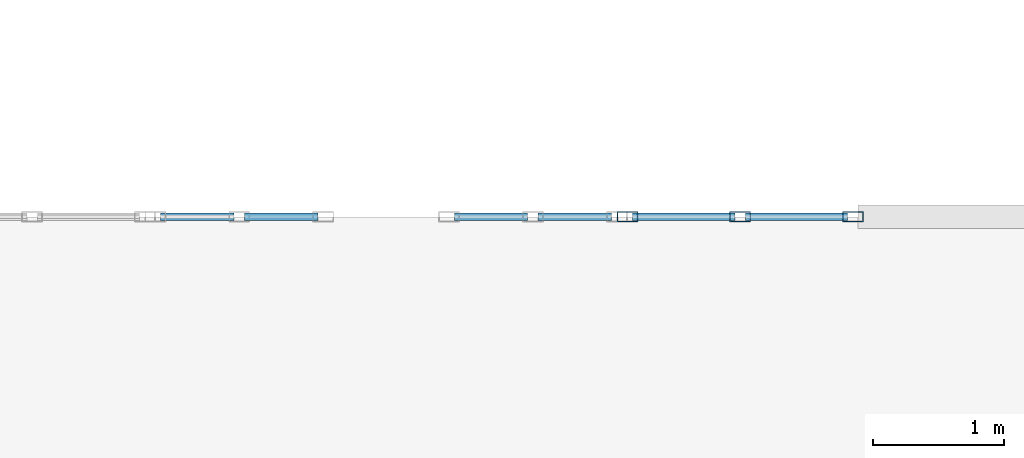
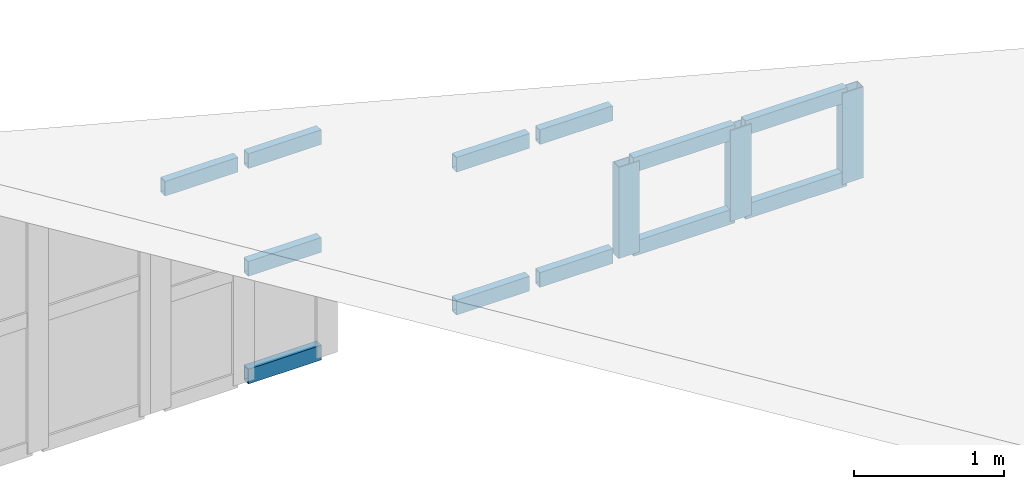
# One storey, part 39 of 76: 15 members, 3 elements without a shape of their own.
"""IFC4 building model written with IfcOpenShell, lengths in metres."""

from ifc_helpers import new_model, si_unit, direction, frame, origin, origin_2d, place, context, subcontext, project, spatial, hollow_rectangle, extrude, material, layer, layer_set, material_profile, profile_set, type_object, element, aggregate, save


model = new_model("IFC4")

# Units and contexts
model_context = context("Model", 3, precision=1e-05, world=origin(), true_north=direction((0.0, 1.0)))
body_context = subcontext(model_context, "Body", "Model", "MODEL_VIEW")
ifc_project = project(units=[si_unit("LENGTHUNIT", "METRE"), si_unit("AREAUNIT", "SQUARE_METRE"), si_unit("VOLUMEUNIT", "CUBIC_METRE"), si_unit("PLANEANGLEUNIT", "RADIAN"), si_unit("MASSUNIT", "GRAM", prefix="KILO"), si_unit("THERMODYNAMICTEMPERATUREUNIT", "KELVIN"), si_unit("POWERUNIT", "WATT")], contexts=[model_context])

# Site, building, storey
site_placement = place(None, origin())
site = spatial("IfcSite", under=ifc_project, at=site_placement, CompositionType="ELEMENT")
building_placement = place(site_placement, origin())
building = spatial("IfcBuilding", under=site, at=building_placement, Name="Kaldorven Railside Theatre", CompositionType="ELEMENT")
storey_placement = place(building_placement, frame((0.0, 0.0, 14.39990234375)))
storey = spatial("IfcBuildingStorey", under=building, at=storey_placement, Name="L03", CompositionType="ELEMENT", Elevation=14.39990234375)

# Curtain wall, members
ifc_material_1 = material(Name="Low-E laminated solar-control glass", Category="glass")
ifc_layer_1 = layer(ifc_material_1, 0.159912109375, Name="Low-E laminated solar-control glass")
ifc_layer_set_1 = layer_set([ifc_layer_1], Name="Low-E laminated solar-control glass")
curtain_wall_type_1 = type_object("IfcCurtainWallType", Name="CWT-60", PredefinedType="USERDEFINED", material=ifc_layer_set_1)
curtain_wall_1_placement = place(storey_placement, origin())
curtain_wall_1 = element("IfcCurtainWall", 1, at=curtain_wall_1_placement, inside=storey, type_object=curtain_wall_type_1, Name="Studio North Gable Clerestory CWG-137", ObjectType="FLUTED GLAZING", PredefinedType="USERDEFINED")
ifc_material_2 = material(Name="Anodised bronze aluminium", Category="aluminium")
ifc_material_profile_1 = material_profile(ifc_material_2, hollow_rectangle(XDim=0.080078125, YDim=0.159912109375, WallThickness=0.00634765625, at=origin_2d()), Name="RHS 160x80x6.3")
ifc_profile_set_1 = profile_set([ifc_material_profile_1], Name="Anodised bronze aluminium")
member_type_1 = type_object("IfcMemberType", Name="CWM-160", PredefinedType="MULLION", material=ifc_profile_set_1)
member_1_placement = place(storey_placement, frame((31.43994140625, 48.0, 0.02001953125), z_axis=(0.0, 0.0, 1.0), x_axis=(0.0, 1.0, 0.0)))
member_1 = element("IfcMember", 2, at=member_1_placement, type_object=member_type_1, Name="CWG-137 mullion 1", PredefinedType="MULLION", context=body_context, shape_type="SweptSolid", body=[
    extrude(hollow_rectangle(XDim=0.080078125, YDim=0.159912109375, WallThickness=0.00634765625, at=origin_2d()), origin(), (0.0, 0.0, 1.0), 0.739990234375),
])
member_2_placement = place(storey_placement, frame((32.300048828125, 48.0, 0.02001953125), z_axis=(0.0, 0.0, 1.0), x_axis=(0.0, 1.0, 0.0)))
member_2 = element("IfcMember", 3, at=member_2_placement, type_object=member_type_1, Name="CWG-137 mullion 2", PredefinedType="MULLION", context=body_context, shape_type="SweptSolid", body=[
    extrude(hollow_rectangle(XDim=0.080078125, YDim=0.159912109375, WallThickness=0.00634765625, at=origin_2d()), origin(), (0.0, 0.0, 1.0), 0.739990234375),
])
member_3_placement = place(storey_placement, frame((33.159912109375, 48.0, 0.02001953125), z_axis=(0.0, 0.0, 1.0), x_axis=(0.0, 1.0, 0.0)))
member_3 = element("IfcMember", 4, at=member_3_placement, type_object=member_type_1, Name="CWG-137 mullion 3", PredefinedType="MULLION", context=body_context, shape_type="SweptSolid", body=[
    extrude(hollow_rectangle(XDim=0.080078125, YDim=0.159912109375, WallThickness=0.00634765625, at=origin_2d()), origin(), (0.0, 0.0, 1.0), 0.739990234375),
])

ifc_layer_2 = layer(ifc_material_1, 0.159912109375, Name="Low-E laminated solar-control glass")
ifc_layer_set_2 = layer_set([ifc_layer_2], Name="Low-E laminated solar-control glass")
curtain_wall_type_2 = type_object("IfcCurtainWallType", Name="CWT-62", PredefinedType="USERDEFINED", material=ifc_layer_set_2)
curtain_wall_2_placement = place(storey_placement, origin())
curtain_wall_2 = element("IfcCurtainWall", 5, at=curtain_wall_2_placement, inside=storey, type_object=curtain_wall_type_2, Name="Studio North Gable Clerestory CWG-135", ObjectType="FLUTED GLAZING", PredefinedType="USERDEFINED")
ifc_material_profile_2 = material_profile(ifc_material_2, hollow_rectangle(XDim=0.06005859375, YDim=0.1201171875, WallThickness=0.0048828125, at=origin_2d()), Name="RHS 120x60x5")
ifc_profile_set_2 = profile_set([ifc_material_profile_2], Name="Anodised bronze aluminium")
member_type_2 = type_object("IfcMemberType", Name="CWT-120", PredefinedType="USERDEFINED", material=ifc_profile_set_2)
member_4_placement = place(storey_placement, frame((27.8798828125, 48.0, 1.800048828125), z_axis=(1.0, 0.0, 0.0), x_axis=(0.0, 1.0, 0.0)))
member_4 = element("IfcMember", 6, at=member_4_placement, type_object=member_type_2, Name="CWG-135 transom 1.3", ObjectType="TRANSOM", PredefinedType="USERDEFINED", context=body_context, shape_type="SweptSolid", body=[
    extrude(hollow_rectangle(XDim=0.06005859375, YDim=0.1201171875, WallThickness=0.0048828125, at=origin_2d()), origin(), (0.0, 0.0, 1.0), 0.56005859375),
])
member_5_placement = place(storey_placement, frame((28.52001953125, 48.0, 0.050048828125), z_axis=(1.0, 0.0, 0.0), x_axis=(0.0, 1.0, 0.0)))
member_5 = element("IfcMember", 7, at=member_5_placement, type_object=member_type_2, Name="CWG-135 transom 2.1", ObjectType="TRANSOM", PredefinedType="USERDEFINED", context=body_context, shape_type="SweptSolid", body=[
    extrude(hollow_rectangle(XDim=0.06005859375, YDim=0.1201171875, WallThickness=0.0048828125, at=origin_2d()), origin(), (0.0, 0.0, 1.0), 0.56005859375),
])
member_6_placement = place(storey_placement, frame((28.52001953125, 48.0, 0.925048828125), z_axis=(1.0, 0.0, 0.0), x_axis=(0.0, 1.0, 0.0)))
member_6 = element("IfcMember", 8, at=member_6_placement, type_object=member_type_2, Name="CWG-135 transom 2.2", ObjectType="TRANSOM", PredefinedType="USERDEFINED", context=body_context, shape_type="SweptSolid", body=[
    extrude(hollow_rectangle(XDim=0.06005859375, YDim=0.1201171875, WallThickness=0.0048828125, at=origin_2d()), origin(), (0.0, 0.0, 1.0), 0.56005859375),
])
member_7_placement = place(storey_placement, frame((28.52001953125, 48.0, 1.800048828125), z_axis=(1.0, 0.0, 0.0), x_axis=(0.0, 1.0, 0.0)))
member_7 = element("IfcMember", 9, at=member_7_placement, type_object=member_type_2, Name="CWG-135 transom 2.3", ObjectType="TRANSOM", PredefinedType="USERDEFINED", context=body_context, shape_type="SweptSolid", body=[
    extrude(hollow_rectangle(XDim=0.06005859375, YDim=0.1201171875, WallThickness=0.0048828125, at=origin_2d()), origin(), (0.0, 0.0, 1.0), 0.56005859375),
])
aggregate(curtain_wall_2, [member_4, member_5, member_6, member_7])

ifc_layer_3 = layer(ifc_material_1, 0.159912109375, Name="Low-E laminated solar-control glass")
ifc_layer_set_3 = layer_set([ifc_layer_3], Name="Low-E laminated solar-control glass")
curtain_wall_type_3 = type_object("IfcCurtainWallType", Name="CWT-61", PredefinedType="USERDEFINED", material=ifc_layer_set_3)
curtain_wall_3_placement = place(storey_placement, origin())
curtain_wall_3 = element("IfcCurtainWall", 10, at=curtain_wall_3_placement, inside=storey, type_object=curtain_wall_type_3, Name="Studio North Gable Clerestory CWG-136", ObjectType="FLUTED GLAZING", PredefinedType="USERDEFINED")
member_8_placement = place(storey_placement, frame((30.1201171875, 48.0, 0.050048828125), z_axis=(1.0, 0.0, 0.0), x_axis=(0.0, 1.0, 0.0)))
member_8 = element("IfcMember", 11, at=member_8_placement, type_object=member_type_2, Name="CWG-136 transom 1.1", ObjectType="TRANSOM", PredefinedType="USERDEFINED", context=body_context, shape_type="SweptSolid", body=[
    extrude(hollow_rectangle(XDim=0.06005859375, YDim=0.1201171875, WallThickness=0.0048828125, at=origin_2d()), origin(), (0.0, 0.0, 1.0), 0.559814453125),
])
member_9_placement = place(storey_placement, frame((30.1201171875, 48.0, 1.210205078125), z_axis=(1.0, 0.0, 0.0), x_axis=(0.0, 1.0, 0.0)))
member_9 = element("IfcMember", 12, at=member_9_placement, type_object=member_type_2, Name="CWG-136 transom 1.2", ObjectType="TRANSOM", PredefinedType="USERDEFINED", context=body_context, shape_type="SweptSolid", body=[
    extrude(hollow_rectangle(XDim=0.06005859375, YDim=0.1201171875, WallThickness=0.0048828125, at=origin_2d()), origin(), (0.0, 0.0, 1.0), 0.559814453125),
])
member_10_placement = place(storey_placement, frame((30.760009765625, 48.0, 0.050048828125), z_axis=(1.0, 0.0, 0.0), x_axis=(0.0, 1.0, 0.0)))
member_10 = element("IfcMember", 13, at=member_10_placement, type_object=member_type_2, Name="CWG-136 transom 2.1", ObjectType="TRANSOM", PredefinedType="USERDEFINED", context=body_context, shape_type="SweptSolid", body=[
    extrude(hollow_rectangle(XDim=0.06005859375, YDim=0.1201171875, WallThickness=0.0048828125, at=origin_2d()), origin(), (0.0, 0.0, 1.0), 0.56005859375),
])
member_11_placement = place(storey_placement, frame((30.760009765625, 48.0, 1.210205078125), z_axis=(1.0, 0.0, 0.0), x_axis=(0.0, 1.0, 0.0)))
member_11 = element("IfcMember", 14, at=member_11_placement, type_object=member_type_2, Name="CWG-136 transom 2.2", ObjectType="TRANSOM", PredefinedType="USERDEFINED", context=body_context, shape_type="SweptSolid", body=[
    extrude(hollow_rectangle(XDim=0.06005859375, YDim=0.1201171875, WallThickness=0.0048828125, at=origin_2d()), origin(), (0.0, 0.0, 1.0), 0.56005859375),
])
aggregate(curtain_wall_3, [member_8, member_9, member_10, member_11])

# Member
member_12_placement = place(storey_placement, frame((31.47998046875, 48.0, 0.050048828125), z_axis=(1.0, 0.0, 0.0), x_axis=(0.0, 1.0, 0.0)))
member_12 = element("IfcMember", 15, at=member_12_placement, type_object=member_type_2, Name="CWG-137 transom 1.1", ObjectType="TRANSOM", PredefinedType="USERDEFINED", context=body_context, shape_type="SweptSolid", body=[
    extrude(hollow_rectangle(XDim=0.06005859375, YDim=0.1201171875, WallThickness=0.0048828125, at=origin_2d()), origin(), (0.0, 0.0, 1.0), 0.780029296875),
])

member_13_placement = place(storey_placement, frame((31.47998046875, 48.0, 0.72998046875), z_axis=(1.0, 0.0, 0.0), x_axis=(0.0, 1.0, 0.0)))
member_13 = element("IfcMember", 16, at=member_13_placement, type_object=member_type_2, Name="CWG-137 transom 1.2", ObjectType="TRANSOM", PredefinedType="USERDEFINED", context=body_context, shape_type="SweptSolid", body=[
    extrude(hollow_rectangle(XDim=0.06005859375, YDim=0.1201171875, WallThickness=0.0048828125, at=origin_2d()), origin(), (0.0, 0.0, 1.0), 0.780029296875),
])

member_14_placement = place(storey_placement, frame((32.340087890625, 48.0, 0.050048828125), z_axis=(1.0, 0.0, 0.0), x_axis=(0.0, 1.0, 0.0)))
member_14 = element("IfcMember", 17, at=member_14_placement, type_object=member_type_2, Name="CWG-137 transom 2.1", ObjectType="TRANSOM", PredefinedType="USERDEFINED", context=body_context, shape_type="SweptSolid", body=[
    extrude(hollow_rectangle(XDim=0.06005859375, YDim=0.1201171875, WallThickness=0.0048828125, at=origin_2d()), origin(), (0.0, 0.0, 1.0), 0.780029296875),
])

member_15_placement = place(storey_placement, frame((32.340087890625, 48.0, 0.72998046875), z_axis=(1.0, 0.0, 0.0), x_axis=(0.0, 1.0, 0.0)))
member_15 = element("IfcMember", 18, at=member_15_placement, type_object=member_type_2, Name="CWG-137 transom 2.2", ObjectType="TRANSOM", PredefinedType="USERDEFINED", context=body_context, shape_type="SweptSolid", body=[
    extrude(hollow_rectangle(XDim=0.06005859375, YDim=0.1201171875, WallThickness=0.0048828125, at=origin_2d()), origin(), (0.0, 0.0, 1.0), 0.780029296875),
])

aggregate(curtain_wall_1, [member_1, member_2, member_3, member_12, member_13, member_14, member_15])

save(model, "model.ifc")
